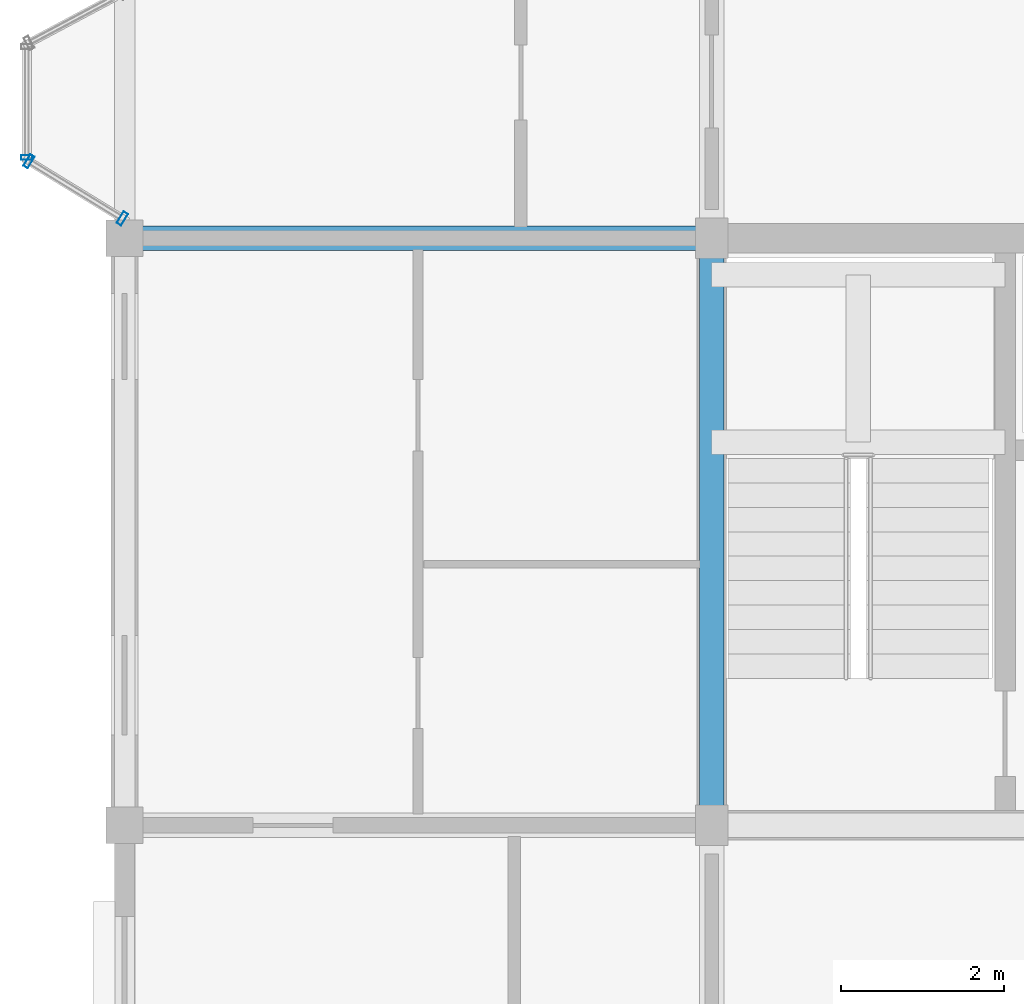
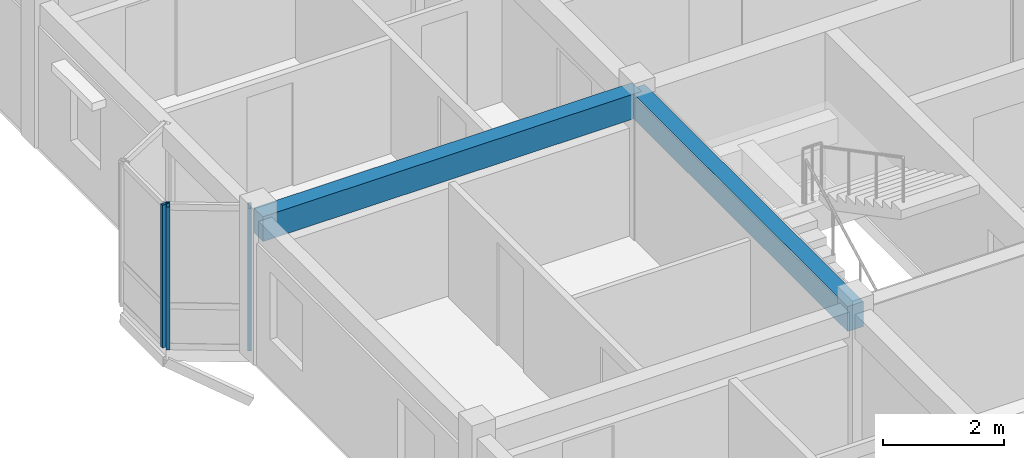
# One storey, part 5 of 23: 3 members, 2 beams, 2 elements without a shape of their own.
"""IFC4 building model written with IfcOpenShell, lengths in metres."""

from ifc_helpers import new_model, si_unit, direction, frame, origin, origin_2d, place, context, subcontext, project, spatial, rectangle, hollow_rectangle, extrude, material, layer, layer_set, material_profile, profile_set, type_object, element, aggregate, save


model = new_model("IFC4")

# Units and contexts
model_context = context("Model", 3, precision=1e-05, world=origin(), true_north=direction((0.0, 1.0)))
body_context = subcontext(model_context, "Body", "Model", "MODEL_VIEW")
ifc_project = project(units=[si_unit("LENGTHUNIT", "METRE"), si_unit("AREAUNIT", "SQUARE_METRE"), si_unit("VOLUMEUNIT", "CUBIC_METRE"), si_unit("PLANEANGLEUNIT", "RADIAN"), si_unit("MASSUNIT", "GRAM", prefix="KILO"), si_unit("THERMODYNAMICTEMPERATUREUNIT", "KELVIN"), si_unit("POWERUNIT", "WATT")], contexts=[model_context])

# Site, building, storey
site_placement = place(None, origin())
site = spatial("IfcSite", under=ifc_project, at=site_placement, CompositionType="ELEMENT")
building_placement = place(site_placement, origin())
building = spatial("IfcBuilding", under=site, at=building_placement, Name="Tavuni Mirador Residences", CompositionType="ELEMENT")
storey_placement = place(building_placement, frame((0.0, 0.0, 42.300048828125)))
storey = spatial("IfcBuildingStorey", under=building, at=storey_placement, Name="L13", CompositionType="ELEMENT", Elevation=42.300048828125)

# Beams
ifc_material_1 = material(Name="Precast concrete C40/50", Category="concrete")
ifc_material_profile_1 = material_profile(ifc_material_1, rectangle(XDim=0.300048828125, YDim=0.5, at=origin_2d()), Name="PC 300x500", Category="concrete")
ifc_profile_set_1 = profile_set([ifc_material_profile_1], Name="Precast concrete C40/50")
beam_type = type_object("IfcBeamType", Name="BT-B500", PredefinedType="BEAM", material=ifc_profile_set_1)
beam_1_placement = place(storey_placement, frame((3.60009765625, 21.60009765625, 2.619873046875), z_axis=(1.0, 0.0, 0.0), x_axis=(0.0, 1.0, 0.0)))
element("IfcBeam", 1, at=beam_1_placement, inside=storey, type_object=beam_type, Name="BMX-BLK-A-L13-00-02", PredefinedType="BEAM", context=body_context, shape_type="SweptSolid", body=[
    extrude(rectangle(XDim=0.300048828125, YDim=0.5, at=origin_2d()), origin(), (0.0, 0.0, 1.0), 7.199951171875),
])
beam_2_placement = place(storey_placement, frame((10.800048828125, 14.39990234375, 2.619873046875), z_axis=(0.0, 1.0, 0.0), x_axis=(-1.0, 0.0, 0.0)))
element("IfcBeam", 2, at=beam_2_placement, inside=storey, type_object=beam_type, Name="BMY-BLK-A-L13-01-01", PredefinedType="BEAM", context=body_context, shape_type="SweptSolid", body=[
    extrude(rectangle(XDim=0.300048828125, YDim=0.5, at=origin_2d()), origin(), (0.0, 0.0, 1.0), 7.2001953125),
])

# Curtain wall, member
ifc_material_2 = material(Name="Anodised aluminium", Category="aluminium")
ifc_layer_1 = layer(ifc_material_2, 0.175048828125, Name="Anodised aluminium", Category="aluminium")
ifc_layer_set_1 = layer_set([ifc_layer_1], Name="Anodised aluminium")
curtain_wall_type_1 = type_object("IfcCurtainWallType", Name="CWT-MIR-C", PredefinedType="NOTDEFINED", material=ifc_layer_set_1)
curtain_wall_1_placement = place(storey_placement, origin())
curtain_wall_1 = element("IfcCurtainWall", 3, at=curtain_wall_1_placement, inside=storey, type_object=curtain_wall_type_1, Name="CW-MIR-A-W2-L13-MF", PredefinedType="NOTDEFINED")
ifc_material_profile_2 = material_profile(ifc_material_2, hollow_rectangle(XDim=0.06005859375, YDim=0.139892578125, WallThickness=0.00390625, at=origin_2d()), Name="ALU 60x140x4.0", Category="aluminium")
ifc_profile_set_2 = profile_set([ifc_material_profile_2], Name="Anodised aluminium")
member_type_1 = type_object("IfcMemberType", Name="CWM-140", PredefinedType="MULLION", material=ifc_profile_set_2)
member_1_placement = place(storey_placement, frame((2.39990234375, 22.590087890625, 0.0), z_axis=(0.0, 0.0, 1.0), x_axis=(0.0, -1.0, 0.0)))
member_1 = element("IfcMember", 4, at=member_1_placement, type_object=member_type_1, Name="CW-03 mullion 2", PredefinedType="MULLION", context=body_context, shape_type="SweptSolid", body=[
    extrude(hollow_rectangle(XDim=0.06005859375, YDim=0.139892578125, WallThickness=0.00390625, at=origin_2d()), origin(), (0.0, 0.0, 1.0), 2.869873046875),
])
aggregate(curtain_wall_1, [member_1])

# Curtain wall, members
ifc_layer_2 = layer(ifc_material_2, 0.159912109375, Name="Anodised aluminium", Category="aluminium")
ifc_layer_set_2 = layer_set([ifc_layer_2], Name="Anodised aluminium")
curtain_wall_type_2 = type_object("IfcCurtainWallType", Name="CWT-MIR-D", PredefinedType="NOTDEFINED", material=ifc_layer_set_2)
curtain_wall_2_placement = place(storey_placement, origin())
curtain_wall_2 = element("IfcCurtainWall", 5, at=curtain_wall_2_placement, inside=storey, type_object=curtain_wall_type_2, Name="CW-MIR-A-W2-L13-M2", PredefinedType="NOTDEFINED")
ifc_material_profile_3 = material_profile(ifc_material_2, hollow_rectangle(XDim=0.06494140625, YDim=0.1650390625, WallThickness=0.00439453125, at=origin_2d()), Name="ALU 65x165x4.5", Category="aluminium")
ifc_profile_set_3 = profile_set([ifc_material_profile_3], Name="Anodised aluminium")
member_type_2 = type_object("IfcMemberType", Name="CWM-165", PredefinedType="MULLION", material=ifc_profile_set_3)
member_2_placement = place(storey_placement, frame((2.427734375, 22.54296875, 0.0), z_axis=(0.0, 0.0, 1.0), x_axis=(0.852754414845, -0.522312079088, 0.0)))
member_2 = element("IfcMember", 6, at=member_2_placement, type_object=member_type_2, Name="CW-04 mullion 1", PredefinedType="MULLION", context=body_context, shape_type="SweptSolid", body=[
    extrude(hollow_rectangle(XDim=0.06494140625, YDim=0.1650390625, WallThickness=0.00439453125, at=origin_2d()), origin(), (0.0, 0.0, 1.0), 2.869873046875),
])
member_3_placement = place(storey_placement, frame((3.572265625, 21.842041015625, 0.0), z_axis=(0.0, 0.0, 1.0), x_axis=(0.852754414845, -0.522312079088, 0.0)))
member_3 = element("IfcMember", 7, at=member_3_placement, type_object=member_type_2, Name="CW-04 mullion 2", PredefinedType="MULLION", context=body_context, shape_type="SweptSolid", body=[
    extrude(hollow_rectangle(XDim=0.06494140625, YDim=0.1650390625, WallThickness=0.00439453125, at=origin_2d()), origin(), (0.0, 0.0, 1.0), 2.869873046875),
])
aggregate(curtain_wall_2, [member_2, member_3])

save(model, "model.ifc")
